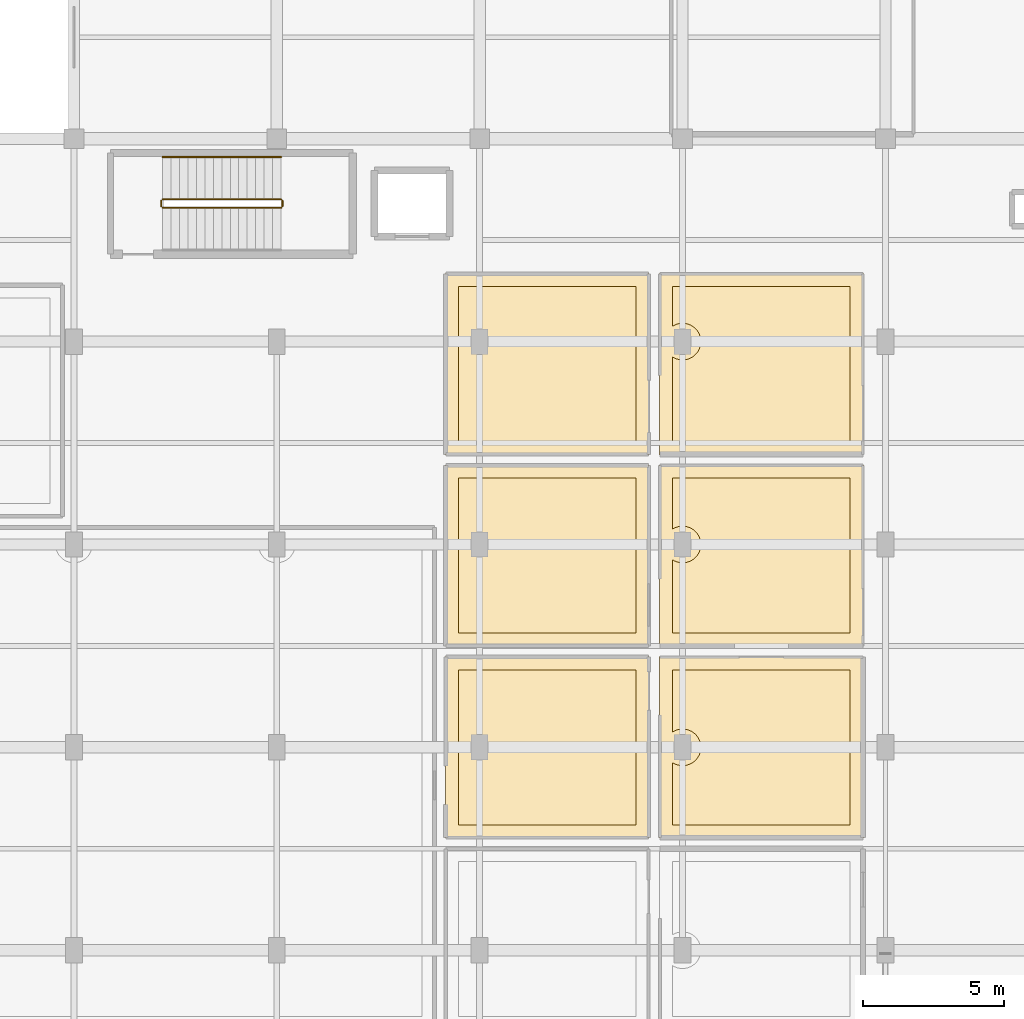
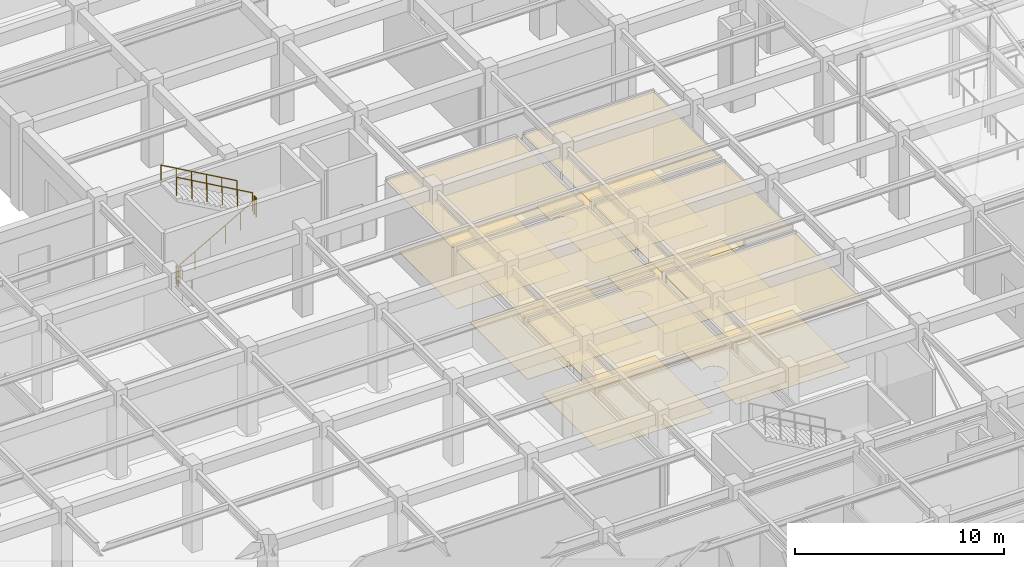
# One storey, part 107 of 117: 12 coverings, 5 railings.
"""IFC4 building model written with IfcOpenShell, lengths in metres."""

from ifc_helpers import new_model, si_unit, direction, frame, origin, origin_2d, place, context, subcontext, project, spatial, polyline, circle, outline, extrude, material, layer, layer_set, type_object, element, save


model = new_model("IFC4")

# Units and contexts
model_context = context("Model", 3, precision=1e-05, world=origin(), true_north=direction((0.0, 1.0)))
body_context = subcontext(model_context, "Body", "Model", "MODEL_VIEW")
ifc_project = project(units=[si_unit("LENGTHUNIT", "METRE"), si_unit("AREAUNIT", "SQUARE_METRE"), si_unit("VOLUMEUNIT", "CUBIC_METRE"), si_unit("PLANEANGLEUNIT", "RADIAN"), si_unit("MASSUNIT", "GRAM", prefix="KILO")], contexts=[model_context])

# Site, building, storey
site_placement = place(None, origin())
site = spatial("IfcSite", under=ifc_project, at=site_placement, CompositionType="ELEMENT")
building_placement = place(site_placement, origin())
building = spatial("IfcBuilding", under=site, at=building_placement, Name="Carrowvane Square Congress Hotel", CompositionType="ELEMENT")
storey_placement = place(building_placement, frame((0.0, 0.0, 5.39990234375)))
storey = spatial("IfcBuildingStorey", under=building, at=storey_placement, Name="L01", CompositionType="ELEMENT", Elevation=5.39990234375)

# Coverings
ifc_material_1 = material(Name="Acoustic gypsum board", Category="gypsum")
ifc_layer_1 = layer(ifc_material_1, 0.014892578125)
ifc_layer_set_1 = layer_set([ifc_layer_1], Name="Acoustic gypsum board")
covering_type_1 = type_object("IfcCoveringType", Name="COV-CLG-AC15", PredefinedType="CEILING", material=ifc_layer_set_1)
covering_1_placement = place(storey_placement, frame((0.0, 0.0, 4.050048828125)))
element("IfcCovering", 1, at=covering_1_placement, inside=storey, type_object=covering_type_1, Name="L01 Thermal Treatment Suite 104 acoustic ceiling", PredefinedType="CEILING", context=body_context, shape_type="SweptSolid", body=[
    extrude(outline(polyline([(53.97998046875, 73.402099609375), (53.98046875, 73.40380859375), (53.98095703125, 73.40576171875), (53.9814453125, 73.40771484375), (53.982421875, 73.409423828125), (53.9833984375, 73.4111328125), (53.984619140625, 73.41259765625), (53.98583984375, 73.4140625), (53.9873046875, 73.41552734375), (53.989013671875, 73.41650390625), (53.990478515625, 73.41748046875), (53.9921875, 73.41845703125), (53.994140625, 73.419189453125), (53.99609375, 73.419677734375), (53.998046875, 73.419921875), (54.0, 73.419921875), (61.199951171875, 73.419921875), (61.201904296875, 73.419921875), (61.203857421875, 73.419677734375), (61.205810546875, 73.419189453125), (61.207763671875, 73.41845703125), (61.20947265625, 73.41748046875), (61.211181640625, 73.41650390625), (61.212646484375, 73.41552734375), (61.214111328125, 73.4140625), (61.215576171875, 73.41259765625), (61.216552734375, 73.4111328125), (61.217529296875, 73.409423828125), (61.218505859375, 73.40771484375), (61.218994140625, 73.40576171875), (61.219482421875, 73.40380859375), (61.219970703125, 73.402099609375), (61.219970703125, 73.39990234375), (61.219970703125, 67.0), (61.219970703125, 66.998046875), (61.219482421875, 66.99609375), (61.218994140625, 66.994140625), (61.218505859375, 66.9921875), (61.217529296875, 66.990478515625), (61.216552734375, 66.989013671875), (61.215576171875, 66.9873046875), (61.214111328125, 66.98583984375), (61.212646484375, 66.984619140625), (61.211181640625, 66.9833984375), (61.20947265625, 66.982421875), (61.207763671875, 66.9814453125), (61.205810546875, 66.98095703125), (61.203857421875, 66.98046875), (61.201904296875, 66.97998046875), (61.199951171875, 66.97998046875), (54.0, 66.97998046875), (53.998046875, 66.97998046875), (53.99609375, 66.98046875), (53.994140625, 66.98095703125), (53.9921875, 66.9814453125), (53.990478515625, 66.982421875), (53.989013671875, 66.9833984375), (53.9873046875, 66.984619140625), (53.98583984375, 66.98583984375), (53.984619140625, 66.9873046875), (53.9833984375, 66.989013671875), (53.982421875, 66.990478515625), (53.9814453125, 66.9921875), (53.98095703125, 66.994140625), (53.98046875, 66.99609375), (53.97998046875, 66.998046875), (53.97998046875, 67.0), (53.97998046875, 73.39990234375), (53.97998046875, 73.402099609375)])), origin(), (0.0, 0.0, 1.0), 0.01513671875),
])
covering_2_placement = place(storey_placement, frame((0.0, 0.0, 4.050048828125)))
element("IfcCovering", 2, at=covering_2_placement, inside=storey, type_object=covering_type_1, Name="L01 Thermal Treatment Suite 108 acoustic ceiling", PredefinedType="CEILING", context=body_context, shape_type="SweptSolid", body=[
    extrude(outline(polyline([(53.97998046875, 87.001953125), (53.98046875, 87.00390625), (53.98095703125, 87.005859375), (53.9814453125, 87.0078125), (53.982421875, 87.009521484375), (53.9833984375, 87.010986328125), (53.984619140625, 87.0126953125), (53.98583984375, 87.01416015625), (53.9873046875, 87.015380859375), (53.989013671875, 87.0166015625), (53.990478515625, 87.017578125), (53.9921875, 87.0185546875), (53.994140625, 87.01904296875), (53.99609375, 87.01953125), (53.998046875, 87.02001953125), (54.0, 87.02001953125), (61.199951171875, 87.02001953125), (61.201904296875, 87.02001953125), (61.203857421875, 87.01953125), (61.205810546875, 87.01904296875), (61.207763671875, 87.0185546875), (61.20947265625, 87.017578125), (61.211181640625, 87.0166015625), (61.212646484375, 87.015380859375), (61.214111328125, 87.01416015625), (61.215576171875, 87.0126953125), (61.216552734375, 87.010986328125), (61.217529296875, 87.009521484375), (61.218505859375, 87.0078125), (61.218994140625, 87.005859375), (61.219482421875, 87.00390625), (61.219970703125, 87.001953125), (61.219970703125, 87.0), (61.219970703125, 80.60009765625), (61.219970703125, 80.597900390625), (61.219482421875, 80.59619140625), (61.218994140625, 80.59423828125), (61.218505859375, 80.59228515625), (61.217529296875, 80.590576171875), (61.216552734375, 80.5888671875), (61.215576171875, 80.58740234375), (61.214111328125, 80.5859375), (61.212646484375, 80.58447265625), (61.211181640625, 80.58349609375), (61.20947265625, 80.58251953125), (61.207763671875, 80.58154296875), (61.205810546875, 80.580810546875), (61.203857421875, 80.580322265625), (61.201904296875, 80.580078125), (61.199951171875, 80.580078125), (54.0, 80.580078125), (53.998046875, 80.580078125), (53.99609375, 80.580322265625), (53.994140625, 80.580810546875), (53.9921875, 80.58154296875), (53.990478515625, 80.58251953125), (53.989013671875, 80.58349609375), (53.9873046875, 80.58447265625), (53.98583984375, 80.5859375), (53.984619140625, 80.58740234375), (53.9833984375, 80.5888671875), (53.982421875, 80.590576171875), (53.9814453125, 80.59228515625), (53.98095703125, 80.59423828125), (53.98046875, 80.59619140625), (53.97998046875, 80.597900390625), (53.97998046875, 80.60009765625), (53.97998046875, 87.0), (53.97998046875, 87.001953125)])), origin(), (0.0, 0.0, 1.0), 0.01513671875),
])
ifc_material_2 = material(Name="Acoustic gypsum board", Category="gypsum")
ifc_layer_2 = layer(ifc_material_2, 0.02001953125)
ifc_layer_set_2 = layer_set([ifc_layer_2], Name="Acoustic gypsum board")
covering_type_2 = type_object("IfcCoveringType", Name="COV-CLG-AC20", PredefinedType="CEILING", material=ifc_layer_set_2)
covering_3_placement = place(storey_placement, frame((0.0, 0.0, 4.045166015625)))
element("IfcCovering", 3, at=covering_3_placement, inside=storey, type_object=covering_type_2, Name="L01 Thermal Treatment Suite 105 acoustic ceiling", PredefinedType="CEILING", context=body_context, shape_type="SweptSolid", body=[
    extrude(outline(polyline([(46.380126953125, 80.201904296875), (46.38037109375, 80.203857421875), (46.380859375, 80.205810546875), (46.381591796875, 80.207763671875), (46.38232421875, 80.20947265625), (46.38330078125, 80.211181640625), (46.384521484375, 80.212646484375), (46.385986328125, 80.214111328125), (46.38720703125, 80.215576171875), (46.388916015625, 80.216552734375), (46.390625, 80.217529296875), (46.392333984375, 80.218505859375), (46.394287109375, 80.218994140625), (46.39599609375, 80.219482421875), (46.39794921875, 80.219970703125), (46.39990234375, 80.219970703125), (53.60009765625, 80.219970703125), (53.60205078125, 80.219970703125), (53.60400390625, 80.219482421875), (53.605712890625, 80.218994140625), (53.607666015625, 80.218505859375), (53.609375, 80.217529296875), (53.611083984375, 80.216552734375), (53.61279296875, 80.215576171875), (53.614013671875, 80.214111328125), (53.615478515625, 80.212646484375), (53.61669921875, 80.211181640625), (53.61767578125, 80.20947265625), (53.618408203125, 80.207763671875), (53.619140625, 80.205810546875), (53.61962890625, 80.203857421875), (53.619873046875, 80.201904296875), (53.6201171875, 80.199951171875), (53.6201171875, 73.800048828125), (53.619873046875, 73.798095703125), (53.61962890625, 73.796142578125), (53.619140625, 73.794189453125), (53.618408203125, 73.792236328125), (53.61767578125, 73.79052734375), (53.61669921875, 73.788818359375), (53.615478515625, 73.787353515625), (53.614013671875, 73.785888671875), (53.61279296875, 73.784423828125), (53.611083984375, 73.783447265625), (53.609375, 73.782470703125), (53.607666015625, 73.781494140625), (53.605712890625, 73.781005859375), (53.60400390625, 73.780517578125), (53.60205078125, 73.780029296875), (53.60009765625, 73.780029296875), (46.39990234375, 73.780029296875), (46.39794921875, 73.780029296875), (46.39599609375, 73.780517578125), (46.394287109375, 73.781005859375), (46.392333984375, 73.781494140625), (46.390625, 73.782470703125), (46.388916015625, 73.783447265625), (46.38720703125, 73.784423828125), (46.385986328125, 73.785888671875), (46.384521484375, 73.787353515625), (46.38330078125, 73.788818359375), (46.38232421875, 73.79052734375), (46.381591796875, 73.792236328125), (46.380859375, 73.794189453125), (46.38037109375, 73.796142578125), (46.380126953125, 73.798095703125), (46.3798828125, 73.800048828125), (46.3798828125, 80.199951171875), (46.380126953125, 80.201904296875)])), origin(), (0.0, 0.0, 1.0), 0.02001953125),
])
ifc_material_3 = material(Name="Anodised aluminium", Category="aluminium")
ifc_layer_3 = layer(ifc_material_3, 0.030029296875)
ifc_layer_set_3 = layer_set([ifc_layer_3], Name="Anodised aluminium")
covering_type_3 = type_object("IfcCoveringType", Name="COV-CLG-MT30", PredefinedType="CEILING", material=ifc_layer_set_3)
covering_4_placement = place(storey_placement, frame((0.0, 0.0, 4.03515625)))
element("IfcCovering", 4, at=covering_4_placement, inside=storey, type_object=covering_type_3, Name="L01 Thermal Treatment Suite 103 acoustic ceiling", PredefinedType="CEILING", context=body_context, shape_type="SweptSolid", body=[
    extrude(outline(polyline([(46.380126953125, 73.402099609375), (46.38037109375, 73.40380859375), (46.380859375, 73.40576171875), (46.381591796875, 73.40771484375), (46.38232421875, 73.409423828125), (46.38330078125, 73.4111328125), (46.384521484375, 73.41259765625), (46.385986328125, 73.4140625), (46.38720703125, 73.41552734375), (46.388916015625, 73.41650390625), (46.390625, 73.41748046875), (46.392333984375, 73.41845703125), (46.394287109375, 73.419189453125), (46.39599609375, 73.419677734375), (46.39794921875, 73.419921875), (46.39990234375, 73.419921875), (53.60009765625, 73.419921875), (53.60205078125, 73.419921875), (53.60400390625, 73.419677734375), (53.605712890625, 73.419189453125), (53.607666015625, 73.41845703125), (53.609375, 73.41748046875), (53.611083984375, 73.41650390625), (53.61279296875, 73.41552734375), (53.614013671875, 73.4140625), (53.615478515625, 73.41259765625), (53.61669921875, 73.4111328125), (53.61767578125, 73.409423828125), (53.618408203125, 73.40771484375), (53.619140625, 73.40576171875), (53.61962890625, 73.40380859375), (53.619873046875, 73.402099609375), (53.6201171875, 73.39990234375), (53.6201171875, 67.0), (53.619873046875, 66.998046875), (53.61962890625, 66.99609375), (53.619140625, 66.994140625), (53.618408203125, 66.9921875), (53.61767578125, 66.990478515625), (53.61669921875, 66.989013671875), (53.615478515625, 66.9873046875), (53.614013671875, 66.98583984375), (53.61279296875, 66.984619140625), (53.611083984375, 66.9833984375), (53.609375, 66.982421875), (53.607666015625, 66.9814453125), (53.605712890625, 66.98095703125), (53.60400390625, 66.98046875), (53.60205078125, 66.97998046875), (53.60009765625, 66.97998046875), (46.39990234375, 66.97998046875), (46.39794921875, 66.97998046875), (46.39599609375, 66.98046875), (46.394287109375, 66.98095703125), (46.392333984375, 66.9814453125), (46.390625, 66.982421875), (46.388916015625, 66.9833984375), (46.38720703125, 66.984619140625), (46.385986328125, 66.98583984375), (46.384521484375, 66.9873046875), (46.38330078125, 66.989013671875), (46.38232421875, 66.990478515625), (46.381591796875, 66.9921875), (46.380859375, 66.994140625), (46.38037109375, 66.99609375), (46.380126953125, 66.998046875), (46.3798828125, 67.0), (46.3798828125, 73.39990234375), (46.380126953125, 73.402099609375)])), origin(), (0.0, 0.0, 1.0), 0.030029296875),
])
covering_5_placement = place(storey_placement, frame((0.0, 0.0, 4.03515625)))
element("IfcCovering", 5, at=covering_5_placement, inside=storey, type_object=covering_type_3, Name="L01 Thermal Treatment Suite 107 acoustic ceiling", PredefinedType="CEILING", context=body_context, shape_type="SweptSolid", body=[
    extrude(outline(polyline([(46.380126953125, 87.001953125), (46.38037109375, 87.00390625), (46.380859375, 87.005859375), (46.381591796875, 87.0078125), (46.38232421875, 87.009521484375), (46.38330078125, 87.010986328125), (46.384521484375, 87.0126953125), (46.385986328125, 87.01416015625), (46.38720703125, 87.015380859375), (46.388916015625, 87.0166015625), (46.390625, 87.017578125), (46.392333984375, 87.0185546875), (46.394287109375, 87.01904296875), (46.39599609375, 87.01953125), (46.39794921875, 87.02001953125), (46.39990234375, 87.02001953125), (53.60009765625, 87.02001953125), (53.60205078125, 87.02001953125), (53.60400390625, 87.01953125), (53.605712890625, 87.01904296875), (53.607666015625, 87.0185546875), (53.609375, 87.017578125), (53.611083984375, 87.0166015625), (53.61279296875, 87.015380859375), (53.614013671875, 87.01416015625), (53.615478515625, 87.0126953125), (53.61669921875, 87.010986328125), (53.61767578125, 87.009521484375), (53.618408203125, 87.0078125), (53.619140625, 87.005859375), (53.61962890625, 87.00390625), (53.619873046875, 87.001953125), (53.6201171875, 87.0), (53.6201171875, 80.60009765625), (53.619873046875, 80.597900390625), (53.61962890625, 80.59619140625), (53.619140625, 80.59423828125), (53.618408203125, 80.59228515625), (53.61767578125, 80.590576171875), (53.61669921875, 80.5888671875), (53.615478515625, 80.58740234375), (53.614013671875, 80.5859375), (53.61279296875, 80.58447265625), (53.611083984375, 80.58349609375), (53.609375, 80.58251953125), (53.607666015625, 80.58154296875), (53.605712890625, 80.580810546875), (53.60400390625, 80.580322265625), (53.60205078125, 80.580078125), (53.60009765625, 80.580078125), (46.39990234375, 80.580078125), (46.39794921875, 80.580078125), (46.39599609375, 80.580322265625), (46.394287109375, 80.580810546875), (46.392333984375, 80.58154296875), (46.390625, 80.58251953125), (46.388916015625, 80.58349609375), (46.38720703125, 80.58447265625), (46.385986328125, 80.5859375), (46.384521484375, 80.58740234375), (46.38330078125, 80.5888671875), (46.38232421875, 80.590576171875), (46.381591796875, 80.59228515625), (46.380859375, 80.59423828125), (46.38037109375, 80.59619140625), (46.380126953125, 80.597900390625), (46.3798828125, 80.60009765625), (46.3798828125, 87.0), (46.380126953125, 87.001953125)])), origin(), (0.0, 0.0, 1.0), 0.030029296875),
])
ifc_material_4 = material(Name="European oak timber", Category="wood")
ifc_layer_4 = layer(ifc_material_4, 0.02490234375)
ifc_layer_set_4 = layer_set([ifc_layer_4], Name="European oak timber")
covering_type_4 = type_object("IfcCoveringType", Name="COV-CLG-WD25", PredefinedType="CEILING", material=ifc_layer_set_4)
covering_6_placement = place(storey_placement, frame((0.0, 0.0, 4.0400390625)))
element("IfcCovering", 6, at=covering_6_placement, inside=storey, type_object=covering_type_4, Name="L01 Thermal Treatment Suite 106 acoustic ceiling", PredefinedType="CEILING", context=body_context, shape_type="SweptSolid", body=[
    extrude(outline(polyline([(53.97998046875, 80.201904296875), (53.98046875, 80.203857421875), (53.98095703125, 80.205810546875), (53.9814453125, 80.207763671875), (53.982421875, 80.20947265625), (53.9833984375, 80.211181640625), (53.984619140625, 80.212646484375), (53.98583984375, 80.214111328125), (53.9873046875, 80.215576171875), (53.989013671875, 80.216552734375), (53.990478515625, 80.217529296875), (53.9921875, 80.218505859375), (53.994140625, 80.218994140625), (53.99609375, 80.219482421875), (53.998046875, 80.219970703125), (54.0, 80.219970703125), (61.199951171875, 80.219970703125), (61.201904296875, 80.219970703125), (61.203857421875, 80.219482421875), (61.205810546875, 80.218994140625), (61.207763671875, 80.218505859375), (61.20947265625, 80.217529296875), (61.211181640625, 80.216552734375), (61.212646484375, 80.215576171875), (61.214111328125, 80.214111328125), (61.215576171875, 80.212646484375), (61.216552734375, 80.211181640625), (61.217529296875, 80.20947265625), (61.218505859375, 80.207763671875), (61.218994140625, 80.205810546875), (61.219482421875, 80.203857421875), (61.219970703125, 80.201904296875), (61.219970703125, 80.199951171875), (61.219970703125, 73.800048828125), (61.219970703125, 73.798095703125), (61.219482421875, 73.796142578125), (61.218994140625, 73.794189453125), (61.218505859375, 73.792236328125), (61.217529296875, 73.79052734375), (61.216552734375, 73.788818359375), (61.215576171875, 73.787353515625), (61.214111328125, 73.785888671875), (61.212646484375, 73.784423828125), (61.211181640625, 73.783447265625), (61.20947265625, 73.782470703125), (61.207763671875, 73.781494140625), (61.205810546875, 73.781005859375), (61.203857421875, 73.780517578125), (61.201904296875, 73.780029296875), (61.199951171875, 73.780029296875), (54.0, 73.780029296875), (53.998046875, 73.780029296875), (53.99609375, 73.780517578125), (53.994140625, 73.781005859375), (53.9921875, 73.781494140625), (53.990478515625, 73.782470703125), (53.989013671875, 73.783447265625), (53.9873046875, 73.784423828125), (53.98583984375, 73.785888671875), (53.984619140625, 73.787353515625), (53.9833984375, 73.788818359375), (53.982421875, 73.79052734375), (53.9814453125, 73.792236328125), (53.98095703125, 73.794189453125), (53.98046875, 73.796142578125), (53.97998046875, 73.798095703125), (53.97998046875, 73.800048828125), (53.97998046875, 80.199951171875), (53.97998046875, 80.201904296875)])), origin(), (0.0, 0.0, 1.0), 0.025146484375),
])
ifc_material_5 = material(Name="European oak timber", Category="wood")
ifc_layer_5 = layer(ifc_material_5, 0.013916015625)
ifc_layer_set_5 = layer_set([ifc_layer_5], Name="European oak timber")
covering_type_5 = type_object("IfcCoveringType", Name="COV-FLR-CRP14", PredefinedType="FLOORING", material=ifc_layer_set_5)
covering_7_placement = place(storey_placement, origin())
element("IfcCovering", 7, at=covering_7_placement, inside=storey, type_object=covering_type_5, Name="L01 Thermal Treatment Suite 103 floor finish", PredefinedType="FLOORING", context=body_context, shape_type="SweptSolid", body=[
    extrude(outline(polyline([(53.14990234375, 72.949951171875), (53.14990234375, 67.449951171875), (46.85009765625, 67.449951171875), (46.85009765625, 72.949951171875), (53.14990234375, 72.949951171875)])), origin(), (0.0, 0.0, 1.0), 0.01416015625),
])
covering_8_placement = place(storey_placement, origin())
element("IfcCovering", 8, at=covering_8_placement, inside=storey, type_object=covering_type_5, Name="L01 Thermal Treatment Suite 107 floor finish", PredefinedType="FLOORING", context=body_context, shape_type="SweptSolid", body=[
    extrude(outline(polyline([(53.14990234375, 86.550048828125), (53.14990234375, 81.050048828125), (46.85009765625, 81.050048828125), (46.85009765625, 86.550048828125), (53.14990234375, 86.550048828125)])), origin(), (0.0, 0.0, 1.0), 0.01416015625),
])
ifc_material_6 = material(Name="European oak timber", Category="wood")
ifc_layer_6 = layer(ifc_material_6, 0.01806640625)
ifc_layer_set_6 = layer_set([ifc_layer_6], Name="European oak timber")
covering_type_6 = type_object("IfcCoveringType", Name="COV-FLR-OAK18", PredefinedType="FLOORING", material=ifc_layer_set_6)
covering_9_placement = place(storey_placement, origin())
element("IfcCovering", 9, at=covering_9_placement, inside=storey, type_object=covering_type_6, Name="L01 Thermal Treatment Suite 104 floor finish", PredefinedType="FLOORING", context=body_context, shape_type="SweptSolid", body=[
    extrude(outline(polyline([(55.373291015625, 69.8935546875), (55.400390625, 69.951416015625), (55.422119140625, 70.01123046875), (55.4375, 70.0732421875), (55.447021484375, 70.13623046875), (55.449951171875, 70.199951171875), (55.447021484375, 70.263671875), (55.4375, 70.326904296875), (55.422119140625, 70.388671875), (55.400390625, 70.44873046875), (55.373291015625, 70.50634765625), (55.340576171875, 70.56103515625), (55.302490234375, 70.6123046875), (55.259521484375, 70.65966796875), (55.21240234375, 70.702392578125), (55.1611328125, 70.740478515625), (55.1064453125, 70.773193359375), (55.048583984375, 70.800537109375), (54.98876953125, 70.822021484375), (54.9267578125, 70.83740234375), (54.86376953125, 70.846923828125), (54.800048828125, 70.85009765625), (54.736328125, 70.846923828125), (54.673095703125, 70.83740234375), (54.611328125, 70.822021484375), (54.55126953125, 70.800537109375), (54.49365234375, 70.773193359375), (54.449951171875, 70.7470703125), (54.449951171875, 72.949951171875), (60.75, 72.949951171875), (60.75, 67.449951171875), (54.449951171875, 67.449951171875), (54.449951171875, 69.65283203125), (54.49365234375, 69.626708984375), (54.55126953125, 69.599609375), (54.611328125, 69.577880859375), (54.673095703125, 69.5625), (54.736328125, 69.552978515625), (54.800048828125, 69.550048828125), (54.86376953125, 69.552978515625), (54.9267578125, 69.5625), (54.98876953125, 69.577880859375), (55.048583984375, 69.599609375), (55.1064453125, 69.626708984375), (55.1611328125, 69.659423828125), (55.21240234375, 69.697509765625), (55.259521484375, 69.740478515625), (55.302490234375, 69.78759765625), (55.340576171875, 69.8388671875), (55.373291015625, 69.8935546875)])), origin(), (0.0, 0.0, 1.0), 0.01806640625),
])
covering_10_placement = place(storey_placement, origin())
element("IfcCovering", 10, at=covering_10_placement, inside=storey, type_object=covering_type_6, Name="L01 Thermal Treatment Suite 108 floor finish", PredefinedType="FLOORING", context=body_context, shape_type="SweptSolid", body=[
    extrude(outline(polyline([(55.373291015625, 84.293701171875), (55.400390625, 84.351318359375), (55.422119140625, 84.411376953125), (55.4375, 84.47314453125), (55.447021484375, 84.536376953125), (55.449951171875, 84.60009765625), (55.447021484375, 84.663818359375), (55.4375, 84.726806640625), (55.422119140625, 84.788818359375), (55.400390625, 84.8486328125), (55.373291015625, 84.906494140625), (55.340576171875, 84.961181640625), (55.302490234375, 85.012451171875), (55.259521484375, 85.0595703125), (55.21240234375, 85.1025390625), (55.1611328125, 85.140380859375), (55.1064453125, 85.173095703125), (55.048583984375, 85.200439453125), (54.98876953125, 85.221923828125), (54.9267578125, 85.237548828125), (54.86376953125, 85.246826171875), (54.800048828125, 85.25), (54.736328125, 85.246826171875), (54.673095703125, 85.237548828125), (54.611328125, 85.221923828125), (54.55126953125, 85.200439453125), (54.49365234375, 85.173095703125), (54.449951171875, 85.147216796875), (54.449951171875, 86.550048828125), (60.75, 86.550048828125), (60.75, 81.050048828125), (54.449951171875, 81.050048828125), (54.449951171875, 84.052978515625), (54.49365234375, 84.02685546875), (54.55126953125, 83.99951171875), (54.611328125, 83.97802734375), (54.673095703125, 83.96240234375), (54.736328125, 83.953125), (54.800048828125, 83.949951171875), (54.86376953125, 83.953125), (54.9267578125, 83.96240234375), (54.98876953125, 83.97802734375), (55.048583984375, 83.99951171875), (55.1064453125, 84.02685546875), (55.1611328125, 84.0595703125), (55.21240234375, 84.097412109375), (55.259521484375, 84.140380859375), (55.302490234375, 84.1875), (55.340576171875, 84.239013671875), (55.373291015625, 84.293701171875)])), origin(), (0.0, 0.0, 1.0), 0.01806640625),
])
ifc_material_7 = material(Name="Portland limestone cladding", Category="masonry")
ifc_layer_7 = layer(ifc_material_7, 0.02587890625)
ifc_layer_set_7 = layer_set([ifc_layer_7], Name="Portland limestone cladding")
covering_type_7 = type_object("IfcCoveringType", Name="COV-FLR-STN26", PredefinedType="FLOORING", material=ifc_layer_set_7)
covering_11_placement = place(storey_placement, origin())
element("IfcCovering", 11, at=covering_11_placement, inside=storey, type_object=covering_type_7, Name="L01 Thermal Treatment Suite 106 floor finish", PredefinedType="FLOORING", context=body_context, shape_type="SweptSolid", body=[
    extrude(outline(polyline([(55.373291015625, 77.093505859375), (55.400390625, 77.1513671875), (55.422119140625, 77.211181640625), (55.4375, 77.273193359375), (55.447021484375, 77.336181640625), (55.449951171875, 77.39990234375), (55.447021484375, 77.463623046875), (55.4375, 77.52685546875), (55.422119140625, 77.588623046875), (55.400390625, 77.648681640625), (55.373291015625, 77.706298828125), (55.340576171875, 77.760986328125), (55.302490234375, 77.8125), (55.259521484375, 77.859619140625), (55.21240234375, 77.902587890625), (55.1611328125, 77.9404296875), (55.1064453125, 77.97314453125), (55.048583984375, 78.00048828125), (54.98876953125, 78.02197265625), (54.9267578125, 78.03759765625), (54.86376953125, 78.046875), (54.800048828125, 78.050048828125), (54.736328125, 78.046875), (54.673095703125, 78.03759765625), (54.611328125, 78.02197265625), (54.55126953125, 78.00048828125), (54.49365234375, 77.97314453125), (54.449951171875, 77.947021484375), (54.449951171875, 79.75), (60.75, 79.75), (60.75, 74.25), (54.449951171875, 74.25), (54.449951171875, 76.852783203125), (54.49365234375, 76.826904296875), (54.55126953125, 76.799560546875), (54.611328125, 76.778076171875), (54.673095703125, 76.762451171875), (54.736328125, 76.753173828125), (54.800048828125, 76.75), (54.86376953125, 76.753173828125), (54.9267578125, 76.762451171875), (54.98876953125, 76.778076171875), (55.048583984375, 76.799560546875), (55.1064453125, 76.826904296875), (55.1611328125, 76.859619140625), (55.21240234375, 76.8974609375), (55.259521484375, 76.9404296875), (55.302490234375, 76.987548828125), (55.340576171875, 77.038818359375), (55.373291015625, 77.093505859375)])), origin(), (0.0, 0.0, 1.0), 0.026123046875),
])
ifc_material_8 = material(Name="Ceramic porcelain tile", Category="stone")
ifc_layer_8 = layer(ifc_material_8, 0.02197265625)
ifc_layer_set_8 = layer_set([ifc_layer_8], Name="Ceramic porcelain tile")
covering_type_8 = type_object("IfcCoveringType", Name="COV-FLR-TRZ22", PredefinedType="FLOORING", material=ifc_layer_set_8)
covering_12_placement = place(storey_placement, origin())
element("IfcCovering", 12, at=covering_12_placement, inside=storey, type_object=covering_type_8, Name="L01 Thermal Treatment Suite 105 floor finish", PredefinedType="FLOORING", context=body_context, shape_type="SweptSolid", body=[
    extrude(outline(polyline([(53.14990234375, 79.75), (53.14990234375, 74.25), (46.85009765625, 74.25), (46.85009765625, 79.75), (53.14990234375, 79.75)])), origin(), (0.0, 0.0, 1.0), 0.022216796875),
])

# Railings
ifc_material_9 = material(Name="Stainless steel 316", Category="steel")
ifc_layer_9 = layer(ifc_material_9, 0.048095703125)
ifc_layer_set_9 = layer_set([ifc_layer_9], Name="Stainless steel 316")
railing_type_1 = type_object("IfcRailingType", Name="RLG-HR-900", PredefinedType="HANDRAIL", material=ifc_layer_set_9)
railing_1_placement = place(storey_placement, frame((40.550048828125, 91.14990234375, 2.72021484375)))
element("IfcRailing", 13, at=railing_1_placement, inside=storey, type_object=railing_type_1, Name="L01 ST5 stair handrail 2", PredefinedType="HANDRAIL", context=body_context, shape_type="SweptSolid", body=[
    extrude(circle(Radius=0.02392578125, at=origin_2d()), frame((0.0, 0.0, 0.8759765625), z_axis=(-0.870030139814, 0.0, 0.492998535308), x_axis=(0.0, -1.0, 0.0)), (0.0, 0.0, 1.0), 4.827392578125),
    extrude(circle(Radius=0.02099609375, at=origin_2d()), origin(), (0.0, 0.0, 1.0), 0.851806640625),
    extrude(circle(Radius=0.02099609375, at=origin_2d()), frame((-0.840087890625, 0.0, 0.47607421875)), (0.0, 0.0, 1.0), 0.851806640625),
    extrude(circle(Radius=0.02099609375, at=origin_2d()), frame((-1.679931640625, 0.0, 0.951904296875)), (0.0, 0.0, 1.0), 0.851806640625),
    extrude(circle(Radius=0.02099609375, at=origin_2d()), frame((-2.52001953125, 0.0, 1.427978515625)), (0.0, 0.0, 1.0), 0.851806640625),
    extrude(circle(Radius=0.02099609375, at=origin_2d()), frame((-3.35986328125, 0.0, 1.90380859375)), (0.0, 0.0, 1.0), 0.851806640625),
    extrude(circle(Radius=0.02099609375, at=origin_2d()), frame((-4.199951171875, 0.0, 2.3798828125)), (0.0, 0.0, 1.0), 0.851806640625),
])
ifc_material_10 = material(Name="Galvanised steel", Category="steel")
ifc_layer_10 = layer(ifc_material_10, 0.048095703125)
ifc_layer_set_10 = layer_set([ifc_layer_10], Name="Galvanised steel")
railing_type_2 = type_object("IfcRailingType", Name="RLG-STG-1100", PredefinedType="GUARDRAIL", material=ifc_layer_set_10)
railing_2_placement = place(storey_placement, frame((36.35009765625, 89.35009765625, 0.170166015625)))
element("IfcRailing", 14, at=railing_2_placement, inside=storey, type_object=railing_type_2, Name="L01 ST5 stair guard 1", PredefinedType="GUARDRAIL", context=body_context, shape_type="SweptSolid", body=[
    extrude(circle(Radius=0.02392578125, at=origin_2d()), frame((0.0, 0.0, 1.076171875), z_axis=(0.870030139814, 0.0, 0.492998535308), x_axis=(0.0, 1.0, 0.0)), (0.0, 0.0, 1.0), 4.827392578125),
    extrude(circle(Radius=0.02099609375, at=origin_2d()), origin(), (0.0, 0.0, 1.0), 1.052001953125),
    extrude(circle(Radius=0.02099609375, at=origin_2d()), frame((0.840087890625, 0.0, 0.47607421875)), (0.0, 0.0, 1.0), 1.052001953125),
    extrude(circle(Radius=0.02099609375, at=origin_2d()), frame((1.679931640625, 0.0, 0.951904296875)), (0.0, 0.0, 1.0), 1.052001953125),
    extrude(circle(Radius=0.02099609375, at=origin_2d()), frame((2.52001953125, 0.0, 1.427978515625)), (0.0, 0.0, 1.0), 1.052001953125),
    extrude(circle(Radius=0.02099609375, at=origin_2d()), frame((3.35986328125, 0.0, 1.90380859375)), (0.0, 0.0, 1.0), 1.052001953125),
    extrude(circle(Radius=0.02099609375, at=origin_2d()), frame((4.199951171875, 0.0, 2.3798828125)), (0.0, 0.0, 1.0), 1.052001953125),
])
railing_3_placement = place(storey_placement, frame((40.60009765625, 89.39990234375, 2.550048828125)))
element("IfcRailing", 15, at=railing_3_placement, inside=storey, type_object=railing_type_2, Name="L01 ST5 stair guard 2", PredefinedType="GUARDRAIL", context=body_context, shape_type="SweptSolid", body=[
    extrude(circle(Radius=0.02392578125, at=origin_2d()), frame((0.0, 0.0, 1.076171875), z_axis=(0.0, 1.0, 0.0), x_axis=(-1.0, 0.0, 0.0)), (0.0, 0.0, 1.0), 0.2001953125),
    extrude(circle(Radius=0.02099609375, at=origin_2d()), origin(), (0.0, 0.0, 1.0), 1.052001953125),
    extrude(circle(Radius=0.02099609375, at=origin_2d()), frame((0.0, 0.2001953125, 0.0)), (0.0, 0.0, 1.0), 1.052001953125),
])
railing_4_placement = place(storey_placement, frame((40.550048828125, 89.64990234375, 2.72021484375)))
element("IfcRailing", 16, at=railing_4_placement, inside=storey, type_object=railing_type_2, Name="L01 ST5 stair guard 3", PredefinedType="GUARDRAIL", context=body_context, shape_type="SweptSolid", body=[
    extrude(circle(Radius=0.02392578125, at=origin_2d()), frame((0.0, 0.0, 1.076171875), z_axis=(-0.870030139814, 0.0, 0.492998535308), x_axis=(0.0, -1.0, 0.0)), (0.0, 0.0, 1.0), 4.827392578125),
    extrude(circle(Radius=0.02099609375, at=origin_2d()), origin(), (0.0, 0.0, 1.0), 1.052001953125),
    extrude(circle(Radius=0.02099609375, at=origin_2d()), frame((-0.840087890625, 0.0, 0.47607421875)), (0.0, 0.0, 1.0), 1.052001953125),
    extrude(circle(Radius=0.02099609375, at=origin_2d()), frame((-1.679931640625, 0.0, 0.951904296875)), (0.0, 0.0, 1.0), 1.052001953125),
    extrude(circle(Radius=0.02099609375, at=origin_2d()), frame((-2.52001953125, 0.0, 1.427978515625)), (0.0, 0.0, 1.0), 1.052001953125),
    extrude(circle(Radius=0.02099609375, at=origin_2d()), frame((-3.35986328125, 0.0, 1.90380859375)), (0.0, 0.0, 1.0), 1.052001953125),
    extrude(circle(Radius=0.02099609375, at=origin_2d()), frame((-4.199951171875, 0.0, 2.3798828125)), (0.0, 0.0, 1.0), 1.052001953125),
])
railing_5_placement = place(storey_placement, frame((36.300048828125, 89.39990234375, 0.0)))
element("IfcRailing", 17, at=railing_5_placement, inside=storey, type_object=railing_type_2, Name="L01 ST5 stair guard 4", PredefinedType="GUARDRAIL", context=body_context, shape_type="SweptSolid", body=[
    extrude(circle(Radius=0.02392578125, at=origin_2d()), frame((0.0, 0.0, 1.076171875), z_axis=(0.0, 1.0, 0.0), x_axis=(-1.0, 0.0, 0.0)), (0.0, 0.0, 1.0), 0.2001953125),
    extrude(circle(Radius=0.02099609375, at=origin_2d()), origin(), (0.0, 0.0, 1.0), 1.052001953125),
    extrude(circle(Radius=0.02099609375, at=origin_2d()), frame((0.0, 0.2001953125, 0.0)), (0.0, 0.0, 1.0), 1.052001953125),
])

save(model, "model.ifc")
